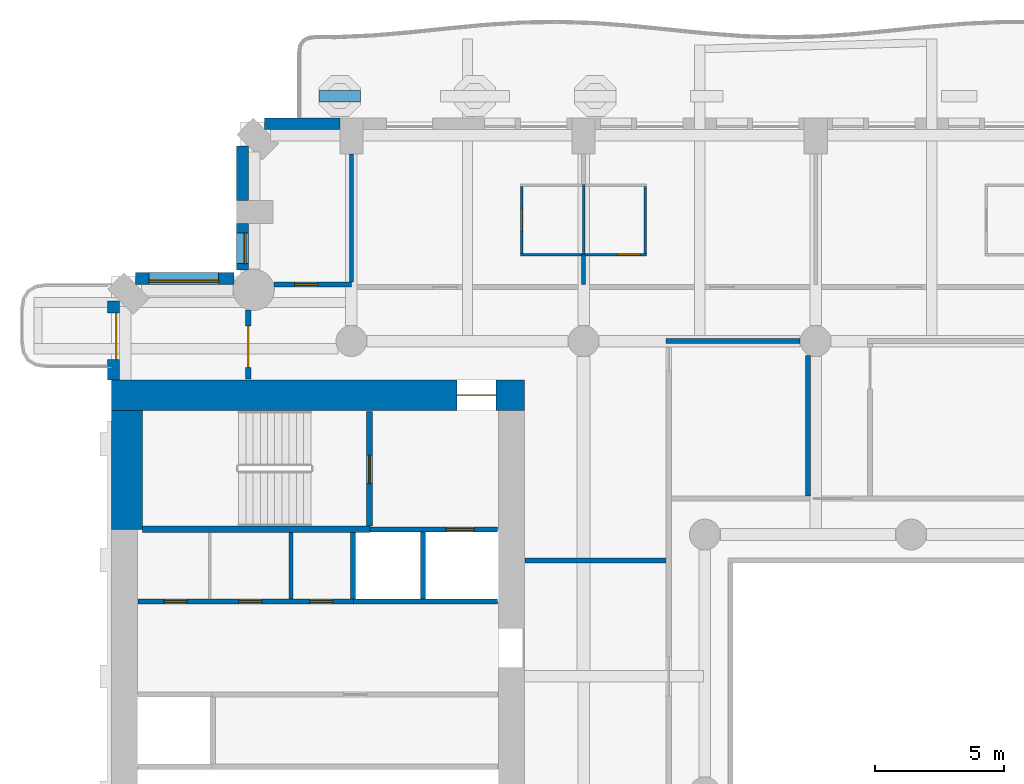
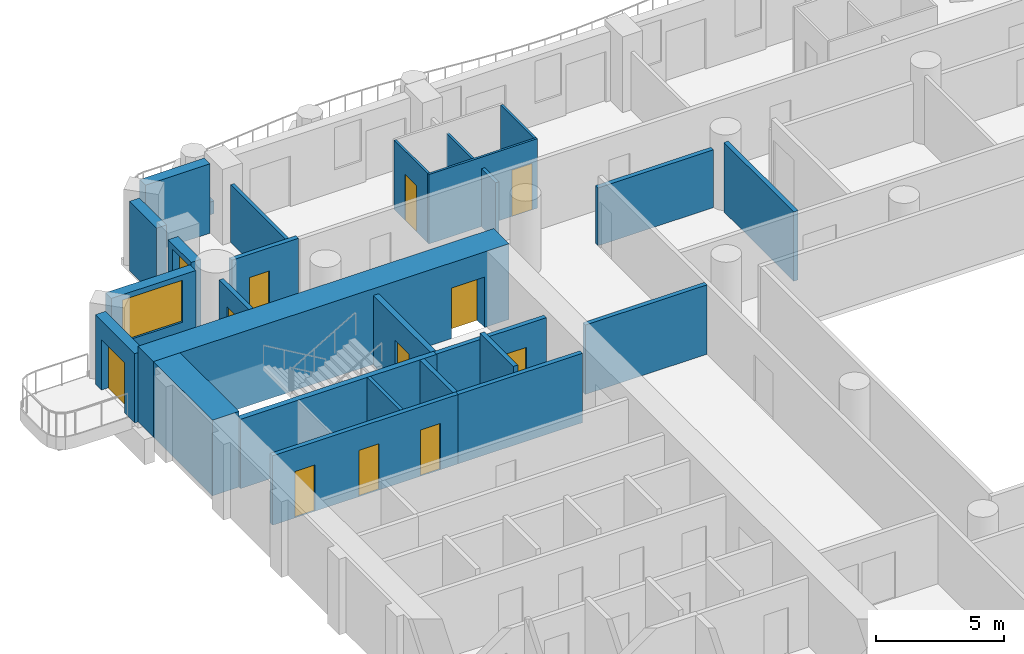
# One storey, part 7 of 19: 27 walls, 11 doors, 2 windows, 13 openings.
"""IFC4 building model written with IfcOpenShell, lengths in metres."""

from ifc_helpers import new_model, si_unit, direction, frame, frame_2d, origin, place, context, subcontext, project, spatial, rectangle, extrude, material, layer, layer_set, type_object, element, fill, save


model = new_model("IFC4")

# Units and contexts
model_context = context("Model", 3, precision=1e-05, world=origin(), true_north=direction((0.0, 1.0)))
body_context = subcontext(model_context, "Body", "Model", "MODEL_VIEW")
ifc_project = project(units=[si_unit("LENGTHUNIT", "METRE"), si_unit("AREAUNIT", "SQUARE_METRE"), si_unit("VOLUMEUNIT", "CUBIC_METRE"), si_unit("PLANEANGLEUNIT", "RADIAN"), si_unit("MASSUNIT", "GRAM", prefix="KILO")], contexts=[model_context])

# Site, building, storey
site_placement = place(None, origin())
site = spatial("IfcSite", under=ifc_project, at=site_placement, CompositionType="ELEMENT")
building_placement = place(site_placement, origin())
building = spatial("IfcBuilding", under=site, at=building_placement, Name="Cypress Arch Tower", CompositionType="ELEMENT")
storey_placement = place(building_placement, frame((0.0, 0.0, 69.89990234375)))
storey = spatial("IfcBuildingStorey", under=building, at=storey_placement, Name="L11", CompositionType="ELEMENT", Elevation=69.89990234375)

# Wall
ifc_material_1 = material(Name="Concrete C40/50, waterproofed", Category="concrete")
ifc_layer_1 = layer(ifc_material_1, 0.449951171875)
ifc_layer_set_1 = layer_set([ifc_layer_1], Name="Balcony planter wall PW450")
wall_type_1 = type_object("IfcWallType", Name="Balcony planter wall PW450", PredefinedType="SOLIDWALL", material=ifc_layer_set_1)
wall_1_placement = place(storey_placement, frame((-20.35009765625, 27.0, 0.0), z_axis=(0.0, 0.0, 1.0), x_axis=(-1.0, 0.0, 0.0)))
element("IfcWall", 1, at=wall_1_placement, inside=storey, type_object=wall_type_1, Name="Balcony planter wall L11-A08.6", PredefinedType="SOLIDWALL", context=body_context, shape_type="SweptSolid", body=[
    extrude(rectangle(XDim=1.599853515625, YDim=0.449951171875, at=frame_2d((0.7998046875, 0.0))), origin(), (0.0, 0.0, 1.0), 0.60009765625),
])

# Wall, opening, door
ifc_material_2 = material(Name="Brick (red buff blend)", Category="masonry")
ifc_layer_2 = layer(ifc_material_2, 0.449951171875)
ifc_layer_set_2 = layer_set([ifc_layer_2], Name="Brick pier and spandrel wall BW450")
wall_type_2 = type_object("IfcWallType", Name="Brick pier and spandrel wall BW450", PredefinedType="SOLIDWALL", material=ifc_layer_set_2)
wall_2_placement = place(storey_placement, frame((-29.925048828125, 19.063720703125, 0.0), z_axis=(0.0, 0.0, 1.0), x_axis=(0.0, -1.0, 0.0)))
wall_2 = element("IfcWall", 2, at=wall_2_placement, inside=storey, type_object=wall_type_2, Name="Brick wall L11 A00.0", PredefinedType="SOLIDWALL", context=body_context, shape_type="SweptSolid", body=[
    extrude(rectangle(XDim=3.063720703125, YDim=0.449951171875, at=frame_2d((1.53173828125, 0.0))), origin(), (0.0, 0.0, 1.0), 3.300048828125),
])
opening_1_placement = place(wall_2_placement, frame((0.481689453125, 0.0, 0.0)))
opening_1 = element("IfcOpeningElement", 3, at=opening_1_placement, cuts=wall_2, Name="Opening D-L11-A00.0.1", PredefinedType="OPENING", context=body_context, shape_type="SweptSolid", body=[
    extrude(rectangle(XDim=1.800048828125, YDim=2.39990234375, at=frame_2d((0.89990234375, 1.199951171875))), frame((0.0, 0.23486328125, 0.0), z_axis=(0.0, -1.0, 0.0), x_axis=(1.0, 0.0, 0.0)), (0.0, 0.0, 1.0), 0.469970703125),
])
ifc_material_3 = material(Name="Anodised aluminium, bronze finish, laminated low-emissivity double glazing, large-missile impact rated", Category="aluminium")
door_type_1 = type_object("IfcDoorType", Name="Balcony sliding door 1800x2400", OperationType="SLIDING_TO_LEFT", PredefinedType="DOOR", material=ifc_material_3)
door_1_placement = place(opening_1_placement, origin())
door_1 = element("IfcDoor", 4, at=door_1_placement, inside=storey, type_object=door_type_1, Name="Balcony door L11 A00.0.1", OperationType="SLIDING_TO_LEFT", OverallHeight=2.39990234375, OverallWidth=1.800048828125, PredefinedType="DOOR", context=body_context, shape_type="SweptSolid", body=[
    extrude(rectangle(XDim=1.800048828125, YDim=2.39990234375, at=frame_2d((0.89990234375, 1.199951171875))), frame((0.0, 0.1298828125, 0.0), z_axis=(0.0, -1.0, 0.0), x_axis=(1.0, 0.0, 0.0)), (0.0, 0.0, 1.0), 0.050048828125),
])
fill(opening_1, door_1)

# Walls
wall_3_placement = place(storey_placement, frame((-21.14990234375, 25.925048828125, 0.0), z_axis=(0.0, 0.0, 1.0), x_axis=(-1.0, 0.0, 0.0)))
element("IfcWall", 5, at=wall_3_placement, inside=storey, type_object=wall_type_2, Name="Brick wall L11 A08.4", PredefinedType="SOLIDWALL", context=body_context, shape_type="SweptSolid", body=[
    extrude(rectangle(XDim=2.913818359375, YDim=0.449951171875, at=frame_2d((1.45703125, 0.0))), origin(), (0.0, 0.0, 1.0), 3.300048828125),
])
wall_4_placement = place(storey_placement, frame((-24.925048828125, 25.063720703125, 0.0), z_axis=(0.0, 0.0, 1.0), x_axis=(0.0, -1.0, 0.0)))
element("IfcWall", 6, at=wall_4_placement, inside=storey, type_object=wall_type_2, Name="Brick wall L11 A09.0", PredefinedType="SOLIDWALL", context=body_context, shape_type="SweptSolid", body=[
    extrude(rectangle(XDim=2.11376953125, YDim=0.449951171875, at=frame_2d((1.056884765625, 0.0))), origin(), (0.0, 0.0, 1.0), 3.300048828125),
])

# Wall, opening, window
wall_5_placement = place(storey_placement, frame((-24.925048828125, 22.050048828125, 0.0), z_axis=(0.0, 0.0, 1.0), x_axis=(0.0, -1.0, 0.0)))
wall_5 = element("IfcWall", 7, at=wall_5_placement, inside=storey, type_object=wall_type_2, Name="Brick wall L11 A09.1", PredefinedType="SOLIDWALL", context=body_context, shape_type="SweptSolid", body=[
    extrude(rectangle(XDim=1.79150390625, YDim=0.449951171875, at=frame_2d((0.895751953125, 0.0))), origin(), (0.0, 0.0, 1.0), 3.300048828125),
])
opening_2_placement = place(wall_5_placement, frame((0.35009765625, 0.0, 1.050048828125)))
opening_2 = element("IfcOpeningElement", 8, at=opening_2_placement, cuts=wall_5, Name="Opening W120H", PredefinedType="OPENING", context=body_context, shape_type="SweptSolid", body=[
    extrude(rectangle(XDim=1.199951171875, YDim=2.0, at=frame_2d((0.60009765625, 1.0))), frame((0.0, 0.23486328125, 0.0), z_axis=(0.0, -1.0, 0.0), x_axis=(1.0, 0.0, 0.0)), (0.0, 0.0, 1.0), 0.469970703125),
])
ifc_material_4 = material(Name="Anodised aluminium, bronze finish, clear low-emissivity double glazing", Category="aluminium")
window_type_1 = type_object("IfcWindowType", Name="Window Hotel 1200x2000", PartitioningType="SINGLE_PANEL", PredefinedType="WINDOW", material=ifc_material_4)
window_1_placement = place(opening_2_placement, origin())
window_1 = element("IfcWindow", 9, at=window_1_placement, inside=storey, type_object=window_type_1, Name="Window L11 A09.1.1", OverallHeight=2.0, OverallWidth=1.199951171875, PartitioningType="SINGLE_PANEL", PredefinedType="WINDOW", context=body_context, shape_type="SweptSolid", body=[
    extrude(rectangle(XDim=1.199951171875, YDim=2.0, at=frame_2d((0.60009765625, 1.0))), frame((0.0, 0.135009765625, 0.0), z_axis=(0.0, -1.0, 0.0), x_axis=(1.0, 0.0, 0.0)), (0.0, 0.0, 1.0), 0.06005859375),
])
fill(opening_2, window_1)

wall_6_placement = place(storey_placement, frame((-25.258544921875, 19.925048828125, 0.0), z_axis=(0.0, 0.0, 1.0), x_axis=(-1.0, 0.0, 0.0)))
wall_6 = element("IfcWall", 10, at=wall_6_placement, inside=storey, type_object=wall_type_2, Name="Brick wall L11 A10.0", PredefinedType="SOLIDWALL", context=body_context, shape_type="SweptSolid", body=[
    extrude(rectangle(XDim=3.80517578125, YDim=0.449951171875, at=frame_2d((1.902587890625, 0.0))), origin(), (0.0, 0.0, 1.0), 3.300048828125),
])
opening_3_placement = place(wall_6_placement, frame((0.591552734375, 0.0, 1.050048828125)))
opening_3 = element("IfcOpeningElement", 11, at=opening_3_placement, cuts=wall_6, Name="Opening W270H", PredefinedType="OPENING", context=body_context, shape_type="SweptSolid", body=[
    extrude(rectangle(XDim=2.699951171875, YDim=2.0, at=frame_2d((1.35009765625, 1.0))), frame((0.0, 0.23486328125, 0.0), z_axis=(0.0, -1.0, 0.0), x_axis=(1.0, 0.0, 0.0)), (0.0, 0.0, 1.0), 0.469970703125),
])
ifc_material_5 = material(Name="Anodised aluminium, bronze finish, clear low-emissivity double glazing", Category="aluminium")
window_type_2 = type_object("IfcWindowType", Name="Window Hotel 2700x2000", PartitioningType="SINGLE_PANEL", PredefinedType="WINDOW", material=ifc_material_5)
window_2_placement = place(opening_3_placement, origin())
window_2 = element("IfcWindow", 12, at=window_2_placement, inside=storey, type_object=window_type_2, Name="Window L11 A10.0.1", OverallHeight=2.0, OverallWidth=2.699951171875, PartitioningType="SINGLE_PANEL", PredefinedType="WINDOW", context=body_context, shape_type="SweptSolid", body=[
    extrude(rectangle(XDim=2.699951171875, YDim=2.0, at=frame_2d((1.35009765625, 1.0))), frame((0.0, 0.135009765625, 0.0), z_axis=(0.0, -1.0, 0.0), x_axis=(1.0, 0.0, 0.0)), (0.0, 0.0, 1.0), 0.06005859375),
])
fill(opening_3, window_2)

# Wall, opening, door
ifc_material_6 = material(Name="Concrete C80/95", Category="concrete")
ifc_layer_3 = layer(ifc_material_6, 1.199951171875)
ifc_layer_set_3 = layer_set([ifc_layer_3], Name="Core wall CW1200 C80/95")
wall_type_3 = type_object("IfcWallType", Name="Core wall CW1200 C80/95", PredefinedType="SHEAR", material=ifc_layer_set_3)
wall_7_placement = place(storey_placement, frame((-30.0, 15.39990234375, 0.0), z_axis=(0.0, 0.0, 1.0), x_axis=(1.0, 0.0, 0.0)))
wall_7 = element("IfcWall", 13, at=wall_7_placement, inside=storey, type_object=wall_type_3, Name="Core wall", PredefinedType="SHEAR", context=body_context, shape_type="SweptSolid", body=[
    extrude(rectangle(XDim=16.0, YDim=1.199951171875, at=frame_2d((8.0, 0.0))), origin(), (0.0, 0.0, 1.0), 3.60009765625),
])
opening_4_placement = place(wall_7_placement, frame((13.39990234375, 0.0, 0.0)))
opening_4 = element("IfcOpeningElement", 14, at=opening_4_placement, cuts=wall_7, Name="Opening D07", PredefinedType="OPENING", context=body_context, shape_type="SweptSolid", body=[
    extrude(rectangle(XDim=1.5, YDim=2.39990234375, at=frame_2d((0.75, 1.199951171875))), frame((0.0, 0.60986328125, 0.0), z_axis=(0.0, -1.0, 0.0), x_axis=(1.0, 0.0, 0.0)), (0.0, 0.0, 1.0), 1.219970703125),
])
ifc_material_7 = material(Name="Steel framed glazed door, fire resisting", Category="steel")
door_type_2 = type_object("IfcDoorType", Name="Lobby door D07 1500x2400", OperationType="DOUBLE_DOOR_SINGLE_SWING", PredefinedType="DOOR", material=ifc_material_7)
door_2_placement = place(opening_4_placement, origin())
door_2 = element("IfcDoor", 15, at=door_2_placement, inside=storey, type_object=door_type_2, Name="Lobby door", OperationType="DOUBLE_DOOR_SINGLE_SWING", OverallHeight=2.39990234375, OverallWidth=1.5, PredefinedType="DOOR", context=body_context, shape_type="SweptSolid", body=[
    extrude(rectangle(XDim=1.5, YDim=2.39990234375, at=frame_2d((0.75, 1.199951171875))), frame((0.0, 0.02490234375, 0.0), z_axis=(0.0, -1.0, 0.0), x_axis=(1.0, 0.0, 0.0)), (0.0, 0.0, 1.0), 0.050048828125),
])
fill(opening_4, door_2)

# Wall
wall_8_placement = place(storey_placement, frame((-29.39990234375, 10.199951171875, 0.0), z_axis=(0.0, 0.0, 1.0), x_axis=(0.0, 1.0, 0.0)))
element("IfcWall", 16, at=wall_8_placement, inside=storey, type_object=wall_type_3, Name="Core wall", PredefinedType="SHEAR", context=body_context, shape_type="SweptSolid", body=[
    extrude(rectangle(XDim=4.60009765625, YDim=1.199951171875, at=frame_2d((2.300048828125, 0.0))), origin(), (0.0, 0.0, 1.0), 3.60009765625),
])

# Wall, openings, doors
ifc_material_8 = material(Name="Concrete blockwork, plastered, rated", Category="masonry")
ifc_layer_4 = layer(ifc_material_8, 0.199951171875)
ifc_layer_set_4 = layer_set([ifc_layer_4], Name="Corridor wall FW200")
wall_type_4 = type_object("IfcWallType", Name="Corridor wall FW200", PredefinedType="PARTITIONING", material=ifc_layer_set_4)
wall_9_placement = place(storey_placement, frame((-28.969970703125, 7.39990234375, 0.0), z_axis=(0.0, 0.0, 1.0), x_axis=(1.0, 0.0, 0.0)))
wall_9 = element("IfcWall", 17, at=wall_9_placement, inside=storey, type_object=wall_type_4, Name="Corridor wall", PredefinedType="PARTITIONING", context=body_context, shape_type="SweptSolid", body=[
    extrude(rectangle(XDim=8.349853515625, YDim=0.199951171875, at=frame_2d((4.1748046875, 0.0))), origin(), (0.0, 0.0, 1.0), 3.300048828125),
])
opening_5_placement = place(wall_9_placement, frame((1.0, 0.0, 0.0)))
opening_5 = element("IfcOpeningElement", 18, at=opening_5_placement, cuts=wall_9, Name="Opening D05", PredefinedType="OPENING", context=body_context, shape_type="SweptSolid", body=[
    extrude(rectangle(XDim=0.89990234375, YDim=2.199951171875, at=frame_2d((0.449951171875, 1.10009765625))), frame((0.0, 0.10986328125, 0.0), z_axis=(0.0, -1.0, 0.0), x_axis=(1.0, 0.0, 0.0)), (0.0, 0.0, 1.0), 0.219970703125),
])
opening_6_placement = place(wall_9_placement, frame((3.89990234375, 0.0, 0.0)))
opening_6 = element("IfcOpeningElement", 19, at=opening_6_placement, cuts=wall_9, Name="Opening D05", PredefinedType="OPENING", context=body_context, shape_type="SweptSolid", body=[
    extrude(rectangle(XDim=0.89990234375, YDim=2.199951171875, at=frame_2d((0.449951171875, 1.10009765625))), frame((0.0, 0.10986328125, 0.0), z_axis=(0.0, -1.0, 0.0), x_axis=(1.0, 0.0, 0.0)), (0.0, 0.0, 1.0), 0.219970703125),
])
opening_7_placement = place(wall_9_placement, frame((6.64990234375, 0.0, 0.0)))
opening_7 = element("IfcOpeningElement", 20, at=opening_7_placement, cuts=wall_9, Name="Opening D05", PredefinedType="OPENING", context=body_context, shape_type="SweptSolid", body=[
    extrude(rectangle(XDim=0.89990234375, YDim=2.199951171875, at=frame_2d((0.449951171875, 1.10009765625))), frame((0.0, 0.10986328125, 0.0), z_axis=(0.0, -1.0, 0.0), x_axis=(1.0, 0.0, 0.0)), (0.0, 0.0, 1.0), 0.219970703125),
])
ifc_material_9 = material(Name="Timber flush door", Category="wood")
door_type_3 = type_object("IfcDoorType", Name="Service door D05 900x2200", OperationType="SINGLE_SWING_LEFT", PredefinedType="DOOR", material=ifc_material_9)
door_3_placement = place(opening_5_placement, origin())
door_3 = element("IfcDoor", 21, at=door_3_placement, inside=storey, type_object=door_type_3, Name="Service door", OperationType="SINGLE_SWING_RIGHT", OverallHeight=2.199951171875, OverallWidth=0.89990234375, PredefinedType="DOOR", context=body_context, shape_type="SweptSolid", body=[
    extrude(rectangle(XDim=0.89990234375, YDim=2.199951171875, at=frame_2d((0.449951171875, 1.10009765625))), frame((0.0, 0.02490234375, 0.0), z_axis=(0.0, -1.0, 0.0), x_axis=(1.0, 0.0, 0.0)), (0.0, 0.0, 1.0), 0.050048828125),
])
fill(opening_5, door_3)
door_4_placement = place(opening_6_placement, origin())
door_4 = element("IfcDoor", 22, at=door_4_placement, inside=storey, type_object=door_type_3, Name="Service door", OperationType="SINGLE_SWING_RIGHT", OverallHeight=2.199951171875, OverallWidth=0.89990234375, PredefinedType="DOOR", context=body_context, shape_type="SweptSolid", body=[
    extrude(rectangle(XDim=0.89990234375, YDim=2.199951171875, at=frame_2d((0.449951171875, 1.10009765625))), frame((0.0, 0.02490234375, 0.0), z_axis=(0.0, -1.0, 0.0), x_axis=(1.0, 0.0, 0.0)), (0.0, 0.0, 1.0), 0.050048828125),
])
fill(opening_6, door_4)
door_5_placement = place(opening_7_placement, origin())
door_5 = element("IfcDoor", 23, at=door_5_placement, inside=storey, type_object=door_type_3, Name="Service door", OperationType="SINGLE_SWING_LEFT", OverallHeight=2.199951171875, OverallWidth=0.89990234375, PredefinedType="DOOR", context=body_context, shape_type="SweptSolid", body=[
    extrude(rectangle(XDim=0.89990234375, YDim=2.199951171875, at=frame_2d((0.449951171875, 1.10009765625))), frame((0.0, 0.02490234375, 0.0), z_axis=(0.0, -1.0, 0.0), x_axis=(1.0, 0.0, 0.0)), (0.0, 0.0, 1.0), 0.050048828125),
])
fill(opening_7, door_5)

# Wall, opening, door
wall_10_placement = place(storey_placement, frame((-24.699951171875, 16.030029296875, 0.0), z_axis=(0.0, 0.0, 1.0), x_axis=(0.0, 1.0, 0.0)))
wall_10 = element("IfcWall", 24, at=wall_10_placement, inside=storey, type_object=wall_type_4, Name="Corridor wall", PredefinedType="PARTITIONING", context=body_context, shape_type="SweptSolid", body=[
    extrude(rectangle(XDim=2.670166015625, YDim=0.199951171875, at=frame_2d((1.3349609375, 0.0))), origin(), (0.0, 0.0, 1.0), 3.300048828125),
])
opening_8_placement = place(wall_10_placement, frame((0.449951171875, 0.0, 0.0)))
opening_8 = element("IfcOpeningElement", 25, at=opening_8_placement, cuts=wall_10, Name="Opening D10", PredefinedType="OPENING", context=body_context, shape_type="SweptSolid", body=[
    extrude(rectangle(XDim=1.60009765625, YDim=2.39990234375, at=frame_2d((0.800048828125, 1.199951171875))), frame((0.0, 0.10986328125, 0.0), z_axis=(0.0, -1.0, 0.0), x_axis=(1.0, 0.0, 0.0)), (0.0, 0.0, 1.0), 0.219970703125),
])
ifc_material_10 = material(Name="Black aluminium glazed door", Category="aluminium")
door_type_4 = type_object("IfcDoorType", Name="Amenity door D10 1600x2400", OperationType="DOUBLE_DOOR_SINGLE_SWING", PredefinedType="DOOR", material=ifc_material_10)
door_6_placement = place(opening_8_placement, origin())
door_6 = element("IfcDoor", 26, at=door_6_placement, inside=storey, type_object=door_type_4, Name="Amenity door", OperationType="DOUBLE_DOOR_SINGLE_SWING", OverallHeight=2.39990234375, OverallWidth=1.60009765625, PredefinedType="DOOR", context=body_context, shape_type="SweptSolid", body=[
    extrude(rectangle(XDim=1.60009765625, YDim=2.39990234375, at=frame_2d((0.800048828125, 1.199951171875))), frame((0.0, 0.02490234375, 0.0), z_axis=(0.0, -1.0, 0.0), x_axis=(1.0, 0.0, 0.0)), (0.0, 0.0, 1.0), 0.050048828125),
])
fill(opening_8, door_6)

wall_11_placement = place(storey_placement, frame((-23.7001953125, 19.699951171875, 0.0), z_axis=(0.0, 0.0, 1.0), x_axis=(1.0, 0.0, 0.0)))
wall_11 = element("IfcWall", 27, at=wall_11_placement, inside=storey, type_object=wall_type_4, Name="Corridor wall", PredefinedType="PARTITIONING", context=body_context, shape_type="SweptSolid", body=[
    extrude(rectangle(XDim=3.000244140625, YDim=0.199951171875, at=frame_2d((1.5, 0.0))), origin(), (0.0, 0.0, 1.0), 3.300048828125),
])
opening_9_placement = place(wall_11_placement, frame((0.800048828125, 0.0, 0.0)))
opening_9 = element("IfcOpeningElement", 28, at=opening_9_placement, cuts=wall_11, Name="Opening D05", PredefinedType="OPENING", context=body_context, shape_type="SweptSolid", body=[
    extrude(rectangle(XDim=0.89990234375, YDim=2.199951171875, at=frame_2d((0.449951171875, 1.10009765625))), frame((0.0, 0.10986328125, 0.0), z_axis=(0.0, -1.0, 0.0), x_axis=(1.0, 0.0, 0.0)), (0.0, 0.0, 1.0), 0.219970703125),
])
door_7_placement = place(opening_9_placement, origin())
door_7 = element("IfcDoor", 29, at=door_7_placement, inside=storey, type_object=door_type_3, Name="Service door", OperationType="SINGLE_SWING_LEFT", OverallHeight=2.199951171875, OverallWidth=0.89990234375, PredefinedType="DOOR", context=body_context, shape_type="SweptSolid", body=[
    extrude(rectangle(XDim=0.89990234375, YDim=2.199951171875, at=frame_2d((0.449951171875, 1.10009765625))), frame((0.0, 0.02490234375, 0.0), z_axis=(0.0, -1.0, 0.0), x_axis=(1.0, 0.0, 0.0)), (0.0, 0.0, 1.0), 0.050048828125),
])
fill(opening_9, door_7)

# Walls
wall_12_placement = place(storey_placement, frame((-13.969970703125, 9.0, 0.0), z_axis=(0.0, 0.0, 1.0), x_axis=(1.0, 0.0, 0.0)))
element("IfcWall", 30, at=wall_12_placement, inside=storey, type_object=wall_type_4, Name="Corridor wall", PredefinedType="PARTITIONING", context=body_context, shape_type="SweptSolid", body=[
    extrude(rectangle(XDim=5.469970703125, YDim=0.199951171875, at=frame_2d((2.73486328125, 0.0))), origin(), (0.0, 0.0, 1.0), 3.300048828125),
])
wall_13_placement = place(storey_placement, frame((-8.5, 17.5, 0.0), z_axis=(0.0, 0.0, 1.0), x_axis=(1.0, 0.0, 0.0)))
element("IfcWall", 31, at=wall_13_placement, inside=storey, type_object=wall_type_4, Name="Corridor wall", PredefinedType="PARTITIONING", context=body_context, shape_type="SweptSolid", body=[
    extrude(rectangle(XDim=5.199951171875, YDim=0.199951171875, at=frame_2d((2.60009765625, 0.0))), origin(), (0.0, 0.0, 1.0), 2.75),
])
wall_14_placement = place(storey_placement, frame((-3.0, 11.5, 0.0), z_axis=(0.0, 0.0, 1.0), x_axis=(0.0, 1.0, 0.0)))
element("IfcWall", 32, at=wall_14_placement, inside=storey, type_object=wall_type_4, Name="Corridor wall", PredefinedType="PARTITIONING", context=body_context, shape_type="SweptSolid", body=[
    extrude(rectangle(XDim=5.443359375, YDim=0.199951171875, at=frame_2d((2.7216796875, 0.0))), origin(), (0.0, 0.0, 1.0), 3.300048828125),
])
ifc_material_11 = material(Name="Blockwork, plastered both sides", Category="masonry")
ifc_layer_5 = layer(ifc_material_11, 0.14990234375)
ifc_layer_set_5 = layer_set([ifc_layer_5], Name="Partition PW150")
wall_type_5 = type_object("IfcWallType", Name="Partition PW150", PredefinedType="PARTITIONING", material=ifc_layer_set_5)
wall_15_placement = place(storey_placement, frame((-23.0400390625, 7.5, 0.0), z_axis=(0.0, 0.0, 1.0), x_axis=(0.0, 1.0, 0.0)))
element("IfcWall", 33, at=wall_15_placement, inside=storey, type_object=wall_type_5, Name="Partition", PredefinedType="PARTITIONING", context=body_context, shape_type="SweptSolid", body=[
    extrude(rectangle(XDim=2.574951171875, YDim=0.14990234375, at=frame_2d((1.28759765625, 0.0))), origin(), (0.0, 0.0, 1.0), 3.300048828125),
])
wall_16_placement = place(storey_placement, frame((-20.699951171875, 19.800048828125, 0.0), z_axis=(0.0, 0.0, 1.0), x_axis=(0.0, 1.0, 0.0)))
element("IfcWall", 34, at=wall_16_placement, inside=storey, type_object=wall_type_5, Name="Partition", PredefinedType="PARTITIONING", context=body_context, shape_type="SweptSolid", body=[
    extrude(rectangle(XDim=4.949951171875, YDim=0.14990234375, at=frame_2d((2.47509765625, 0.0))), origin(), (0.0, 0.0, 1.0), 2.75),
])
wall_17_placement = place(storey_placement, frame((-11.699951171875, 19.699951171875, 0.0), z_axis=(0.0, 0.0, 1.0), x_axis=(0.0, 1.0, 0.0)))
element("IfcWall", 35, at=wall_17_placement, inside=storey, type_object=wall_type_5, Name="Partition", PredefinedType="PARTITIONING", context=body_context, shape_type="SweptSolid", body=[
    extrude(rectangle(XDim=1.150146484375, YDim=0.14990234375, at=frame_2d((0.5751953125, 0.0))), origin(), (0.0, 0.0, 1.0), 2.75),
])
ifc_material_12 = material(Name="Concrete C50/60", Category="concrete")
ifc_layer_6 = layer(ifc_material_12, 0.199951171875)
ifc_layer_set_6 = layer_set([ifc_layer_6], Name="Shaft wall SH200")
wall_type_6 = type_object("IfcWallType", Name="Shaft wall SH200", PredefinedType="SHEAR", material=ifc_layer_set_6)
wall_18_placement = place(storey_placement, frame((-20.639892578125, 7.5, 0.0), z_axis=(0.0, 0.0, 1.0), x_axis=(0.0, 1.0, 0.0)))
element("IfcWall", 36, at=wall_18_placement, inside=storey, type_object=wall_type_6, Name="Shaft wall", PredefinedType="SHEAR", context=body_context, shape_type="SweptSolid", body=[
    extrude(rectangle(XDim=2.574951171875, YDim=0.199951171875, at=frame_2d((1.28759765625, 0.0))), origin(), (0.0, 0.0, 1.0), 3.300048828125),
])
wall_19_placement = place(storey_placement, frame((-20.6201171875, 7.39990234375, 0.0), z_axis=(0.0, 0.0, 1.0), x_axis=(1.0, 0.0, 0.0)))
element("IfcWall", 37, at=wall_19_placement, inside=storey, type_object=wall_type_6, Name="Shaft wall", PredefinedType="SHEAR", context=body_context, shape_type="SweptSolid", body=[
    extrude(rectangle(XDim=5.590087890625, YDim=0.199951171875, at=frame_2d((2.794921875, 0.0))), origin(), (0.0, 0.0, 1.0), 3.300048828125),
])

# Wall, opening, door
wall_20_placement = place(storey_placement, frame((-19.97998046875, 10.199951171875, 0.0), z_axis=(0.0, 0.0, 1.0), x_axis=(1.0, 0.0, 0.0)))
wall_20 = element("IfcWall", 38, at=wall_20_placement, inside=storey, type_object=wall_type_6, Name="Shaft wall", PredefinedType="SHEAR", context=body_context, shape_type="SweptSolid", body=[
    extrude(rectangle(XDim=4.949951171875, YDim=0.199951171875, at=frame_2d((2.47509765625, 0.0))), origin(), (0.0, 0.0, 1.0), 3.300048828125),
])
opening_10_placement = place(wall_20_placement, frame((2.949951171875, 0.0, 0.0)))
opening_10 = element("IfcOpeningElement", 39, at=opening_10_placement, cuts=wall_20, Name="Opening LD-FL2", PredefinedType="OPENING", context=body_context, shape_type="SweptSolid", body=[
    extrude(rectangle(XDim=1.10009765625, YDim=2.199951171875, at=frame_2d((0.550048828125, 1.10009765625))), frame((0.0, 0.10986328125, 0.0), z_axis=(0.0, -1.0, 0.0), x_axis=(1.0, 0.0, 0.0)), (0.0, 0.0, 1.0), 0.219970703125),
])
ifc_material_13 = material(Name="Stainless steel centre-opening landing door, rated", Category="steel")
door_type_5 = type_object("IfcDoorType", Name="Lift landing door LD 1100x2200", OperationType="DOUBLE_DOOR_SLIDING", PredefinedType="DOOR", material=ifc_material_13)
door_8_placement = place(opening_10_placement, origin())
door_8 = element("IfcDoor", 40, at=door_8_placement, inside=storey, type_object=door_type_5, Name="Lift landing doors FL2", OperationType="DOUBLE_DOOR_SLIDING", OverallHeight=2.199951171875, OverallWidth=1.10009765625, PredefinedType="DOOR", context=body_context, shape_type="SweptSolid", body=[
    extrude(rectangle(XDim=1.10009765625, YDim=2.199951171875, at=frame_2d((0.550048828125, 1.10009765625))), frame((0.0, 0.02490234375, 0.0), z_axis=(0.0, -1.0, 0.0), x_axis=(1.0, 0.0, 0.0)), (0.0, 0.0, 1.0), 0.050048828125),
])
fill(opening_10, door_8)

# Walls
wall_21_placement = place(storey_placement, frame((-17.919921875, 7.5, 0.0), z_axis=(0.0, 0.0, 1.0), x_axis=(0.0, 1.0, 0.0)))
element("IfcWall", 41, at=wall_21_placement, inside=storey, type_object=wall_type_6, Name="Shaft wall", PredefinedType="SHEAR", context=body_context, shape_type="SweptSolid", body=[
    extrude(rectangle(XDim=2.60009765625, YDim=0.199951171875, at=frame_2d((1.300048828125, 0.0))), origin(), (0.0, 0.0, 1.0), 3.60009765625),
])
ifc_material_14 = material(Name="Concrete C50/60", Category="concrete")
ifc_layer_7 = layer(ifc_material_14, 0.25)
ifc_layer_set_7 = layer_set([ifc_layer_7], Name="Stair enclosure wall SW250")
wall_type_7 = type_object("IfcWallType", Name="Stair enclosure wall SW250", PredefinedType="SHEAR", material=ifc_layer_set_7)
wall_22_placement = place(storey_placement, frame((-28.81005859375, 10.199951171875, 0.0), z_axis=(0.0, 0.0, 1.0), x_axis=(1.0, 0.0, 0.0)))
element("IfcWall", 42, at=wall_22_placement, inside=storey, type_object=wall_type_7, Name="Stair enclosure wall", PredefinedType="SHEAR", context=body_context, shape_type="SweptSolid", body=[
    extrude(rectangle(XDim=8.830078125, YDim=0.25, at=frame_2d((4.4150390625, 0.0))), origin(), (0.0, 0.0, 1.0), 3.300048828125),
])

# Wall, opening, door
wall_23_placement = place(storey_placement, frame((-20.0, 10.324951171875, 0.0), z_axis=(0.0, 0.0, 1.0), x_axis=(0.0, 1.0, 0.0)))
wall_23 = element("IfcWall", 43, at=wall_23_placement, inside=storey, type_object=wall_type_7, Name="Stair enclosure wall", PredefinedType="SHEAR", context=body_context, shape_type="SweptSolid", body=[
    extrude(rectangle(XDim=4.445068359375, YDim=0.25, at=frame_2d((2.22265625, 0.0))), origin(), (0.0, 0.0, 1.0), 3.300048828125),
])
opening_11_placement = place(wall_23_placement, frame((1.64990234375, 0.0, 0.0)))
opening_11 = element("IfcOpeningElement", 44, at=opening_11_placement, cuts=wall_23, Name="Opening D06", PredefinedType="OPENING", context=body_context, shape_type="SweptSolid", body=[
    extrude(rectangle(XDim=1.10009765625, YDim=2.199951171875, at=frame_2d((0.550048828125, 1.10009765625))), frame((0.0, 0.135009765625, 0.0), z_axis=(0.0, -1.0, 0.0), x_axis=(1.0, 0.0, 0.0)), (0.0, 0.0, 1.0), 0.27001953125),
])
ifc_material_15 = material(Name="Steel door, fire resisting, panic bar", Category="steel")
door_type_6 = type_object("IfcDoorType", Name="Stair door D06 1100x2200", OperationType="SINGLE_SWING_LEFT", PredefinedType="DOOR", material=ifc_material_15)
door_9_placement = place(opening_11_placement, origin())
door_9 = element("IfcDoor", 45, at=door_9_placement, inside=storey, type_object=door_type_6, Name="Stair door", OperationType="SINGLE_SWING_LEFT", OverallHeight=2.199951171875, OverallWidth=1.10009765625, PredefinedType="DOOR", context=body_context, shape_type="SweptSolid", body=[
    extrude(rectangle(XDim=1.10009765625, YDim=2.199951171875, at=frame_2d((0.550048828125, 1.10009765625))), frame((0.0, 0.02490234375, 0.0), z_axis=(0.0, -1.0, 0.0), x_axis=(1.0, 0.0, 0.0)), (0.0, 0.0, 1.0), 0.050048828125),
])
fill(opening_11, door_9)

ifc_material_16 = material(Name="Moisture resistant board on steel studs, tiled", Category="steel")
ifc_layer_8 = layer(ifc_material_16, 0.10009765625)
ifc_layer_set_8 = layer_set([ifc_layer_8], Name="Wet wall PW100")
wall_type_8 = type_object("IfcWallType", Name="Wet wall PW100", PredefinedType="PARTITIONING", material=ifc_layer_set_8)
wall_24_placement = place(storey_placement, frame((-14.095947265625, 20.89990234375, 0.0), z_axis=(0.0, 0.0, 1.0), x_axis=(0.0, 1.0, 0.0)))
wall_24 = element("IfcWall", 46, at=wall_24_placement, inside=storey, type_object=wall_type_8, Name="Wet wall", PredefinedType="PARTITIONING", context=body_context, shape_type="SweptSolid", body=[
    extrude(rectangle(XDim=2.60009765625, YDim=0.10009765625, at=frame_2d((1.300048828125, 0.0))), origin(), (0.0, 0.0, 1.0), 3.300048828125),
])
opening_12_placement = place(wall_24_placement, frame((0.85009765625, 0.0, 0.0)))
opening_12 = element("IfcOpeningElement", 47, at=opening_12_placement, cuts=wall_24, Name="Opening D03", PredefinedType="OPENING", context=body_context, shape_type="SweptSolid", body=[
    extrude(rectangle(XDim=0.89990234375, YDim=2.199951171875, at=frame_2d((0.449951171875, 1.10009765625))), frame((0.0, 0.06005859375, 0.0), z_axis=(0.0, -1.0, 0.0), x_axis=(1.0, 0.0, 0.0)), (0.0, 0.0, 1.0), 0.1201171875),
])
ifc_material_17 = material(Name="Timber flush door, moisture resistant", Category="wood")
door_type_7 = type_object("IfcDoorType", Name="Bathroom door D03 900x2200", OperationType="SINGLE_SWING_LEFT", PredefinedType="DOOR", material=ifc_material_17)
door_10_placement = place(opening_12_placement, origin())
door_10 = element("IfcDoor", 48, at=door_10_placement, inside=storey, type_object=door_type_7, Name="Bathroom door", OperationType="SINGLE_SWING_RIGHT", OverallHeight=2.199951171875, OverallWidth=0.89990234375, PredefinedType="DOOR", context=body_context, shape_type="SweptSolid", body=[
    extrude(rectangle(XDim=0.89990234375, YDim=2.199951171875, at=frame_2d((0.449951171875, 1.10009765625))), frame((0.0, 0.02490234375, 0.0), z_axis=(0.0, -1.0, 0.0), x_axis=(1.0, 0.0, 0.0)), (0.0, 0.0, 1.0), 0.050048828125),
])
fill(opening_12, door_10)

wall_25_placement = place(storey_placement, frame((-14.14599609375, 20.85009765625, 0.0), z_axis=(0.0, 0.0, 1.0), x_axis=(1.0, 0.0, 0.0)))
wall_25 = element("IfcWall", 49, at=wall_25_placement, inside=storey, type_object=wall_type_8, Name="Wet wall", PredefinedType="PARTITIONING", context=body_context, shape_type="SweptSolid", body=[
    extrude(rectangle(XDim=4.89208984375, YDim=0.10009765625, at=frame_2d((2.446044921875, 0.0))), origin(), (0.0, 0.0, 1.0), 3.300048828125),
])
opening_13_placement = place(wall_25_placement, frame((3.75, 0.0, 0.0)))
opening_13 = element("IfcOpeningElement", 50, at=opening_13_placement, cuts=wall_25, Name="Opening D03", PredefinedType="OPENING", context=body_context, shape_type="SweptSolid", body=[
    extrude(rectangle(XDim=0.89990234375, YDim=2.199951171875, at=frame_2d((0.449951171875, 1.10009765625))), frame((0.0, 0.06005859375, 0.0), z_axis=(0.0, -1.0, 0.0), x_axis=(1.0, 0.0, 0.0)), (0.0, 0.0, 1.0), 0.1201171875),
])
door_11_placement = place(opening_13_placement, origin())
door_11 = element("IfcDoor", 51, at=door_11_placement, inside=storey, type_object=door_type_7, Name="Bathroom door", OperationType="SINGLE_SWING_RIGHT", OverallHeight=2.199951171875, OverallWidth=0.89990234375, PredefinedType="DOOR", context=body_context, shape_type="SweptSolid", body=[
    extrude(rectangle(XDim=0.89990234375, YDim=2.199951171875, at=frame_2d((0.449951171875, 1.10009765625))), frame((0.0, 0.02490234375, 0.0), z_axis=(0.0, -1.0, 0.0), x_axis=(1.0, 0.0, 0.0)), (0.0, 0.0, 1.0), 0.050048828125),
])
fill(opening_13, door_11)

# Walls
wall_26_placement = place(storey_placement, frame((-11.699951171875, 20.85009765625, 0.0), z_axis=(0.0, 0.0, 1.0), x_axis=(0.0, 1.0, 0.0)))
element("IfcWall", 52, at=wall_26_placement, inside=storey, type_object=wall_type_8, Name="Wet wall", PredefinedType="PARTITIONING", context=body_context, shape_type="SweptSolid", body=[
    extrude(rectangle(XDim=2.719970703125, YDim=0.10009765625, at=frame_2d((1.35986328125, 0.0))), origin(), (0.0, 0.0, 1.0), 2.75),
])
wall_27_placement = place(storey_placement, frame((-9.303955078125, 20.89990234375, 0.0), z_axis=(0.0, 0.0, 1.0), x_axis=(0.0, 1.0, 0.0)))
element("IfcWall", 53, at=wall_27_placement, inside=storey, type_object=wall_type_8, Name="Wet wall", PredefinedType="PARTITIONING", context=body_context, shape_type="SweptSolid", body=[
    extrude(rectangle(XDim=2.60009765625, YDim=0.10009765625, at=frame_2d((1.300048828125, 0.0))), origin(), (0.0, 0.0, 1.0), 3.300048828125),
])

save(model, "model.ifc")
